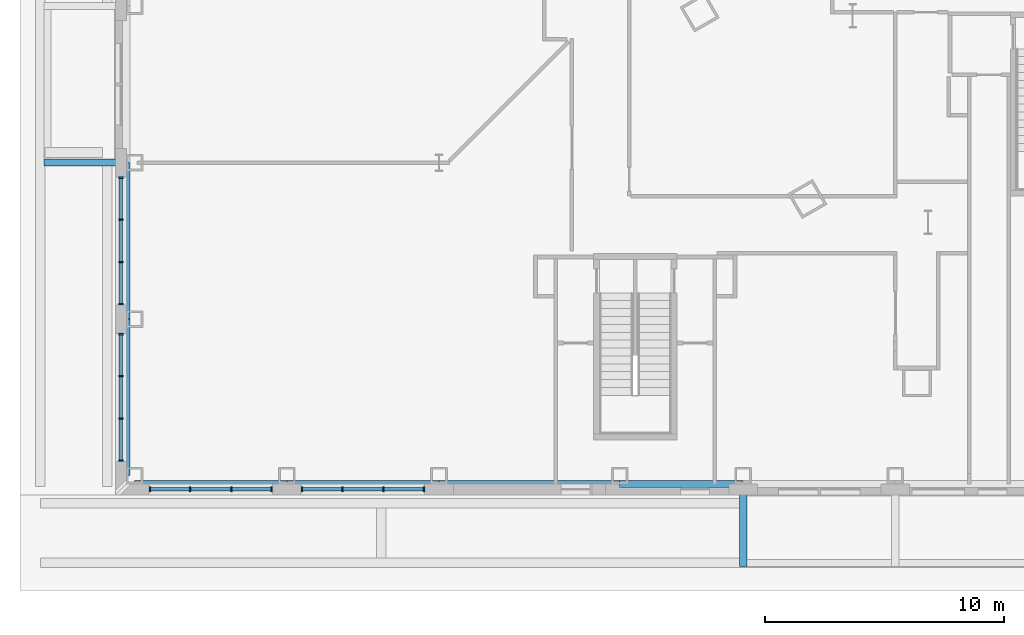
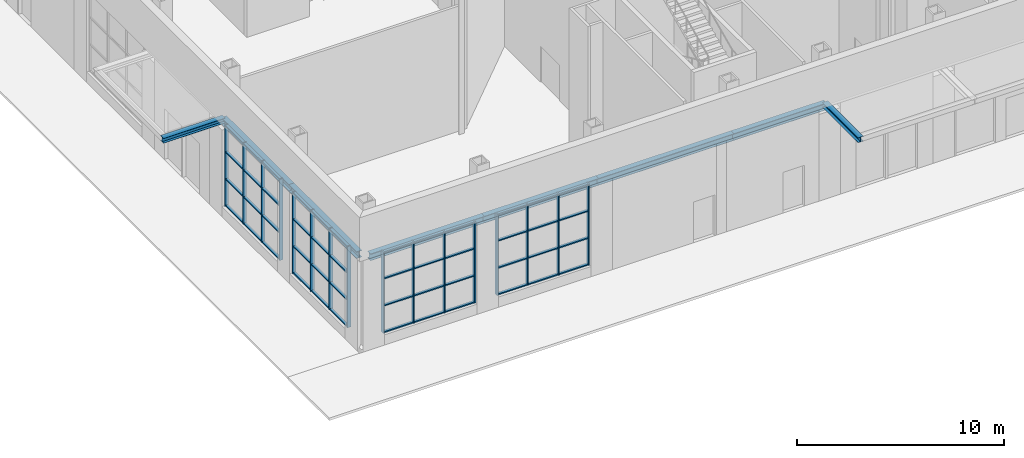
# One storey, part 5 of 34: 64 members, 8 beams, 4 elements without a shape of their own.
"""IFC4 building model written with IfcOpenShell, lengths in metres."""

import ifcopenshell
import ifcopenshell.guid

model = None  # the IFC model being written
_history = None  # IfcOwnerHistory: only IFC2X3 demands one
_inside = {}  # id of a spatial element -> (the spatial element, [elements in it])
_under = {}  # id of a project, library or spatial element -> (it, [spatial elements below it])
_declared = {}  # id of a project -> (the project, [libraries it declares])
_typed = {}  # id of a type object -> (the type object, [elements of that type])
_made_of = {}  # id of a material, layer set ... -> (it, [elements and type objects made of it])


def new_model(schema):
    """Start an empty IFC model of exactly this schema.

    Asked for "IFC4X3", IfcOpenShell would pick the latest addendum, in which some entities
    have other attributes; the version numbers below select the first issue.
    IFC2X3 requires an IfcOwnerHistory on every rooted entity: one is made here for all.
    """
    global model, _history
    if schema == "IFC4X3":
        model = ifcopenshell.file(schema_version=(4, 3, 0, 0))
    else:
        model = ifcopenshell.file(schema=schema)
    _inside.clear()
    _under.clear()
    _declared.clear()
    _typed.clear()
    _made_of.clear()
    _history = None
    if model.schema == "IFC2X3":
        org = make("IfcOrganization", Name="unknown")
        user = make(
            "IfcPersonAndOrganization",
            ThePerson=make("IfcPerson", FamilyName="unknown"),
            TheOrganization=org,
        )
        app = make(
            "IfcApplication",
            ApplicationDeveloper=org,
            Version="unknown",
            ApplicationFullName="unknown",
            ApplicationIdentifier="unknown",
        )
        _history = make(
            "IfcOwnerHistory",
            OwningUser=user,
            OwningApplication=app,
            ChangeAction="ADDED",
            CreationDate=0,
        )
    return model


def make(cls, **values):
    """One entity of the class cls with the attributes given. An attribute that is None is left unset."""
    return model.create_entity(
        cls, **{name: value for name, value in values.items() if value is not None}
    )


def rooted(cls, **values):
    """An entity with a GlobalId (a new one), such as an element, a storey or a relation."""
    return make(cls, GlobalId=ifcopenshell.guid.new(), OwnerHistory=_history, **values)


def si_unit(unit_type, name, prefix=None):
    """IfcSIUnit, for example si_unit("LENGTHUNIT", "METRE", prefix="MILLI")."""
    return make("IfcSIUnit", UnitType=unit_type, Prefix=prefix, Name=name)


def assignment(units):
    """IfcUnitAssignment: the units of a project."""
    return None if units is None else make("IfcUnitAssignment", Units=units)


def point(xyz):
    """IfcCartesianPoint."""
    return None if xyz is None else make("IfcCartesianPoint", Coordinates=xyz)


def direction(xyz):
    """IfcDirection."""
    return None if xyz is None else make("IfcDirection", DirectionRatios=xyz)


def frame(location, z_axis=None, x_axis=None):
    """IfcAxis2Placement3D, a coordinate frame: its origin and axes. An axis left out is left unset."""
    return make(
        "IfcAxis2Placement3D",
        Location=point(location),
        Axis=direction(z_axis),
        RefDirection=direction(x_axis),
    )


def frame_2d(location, x_axis=None):
    """IfcAxis2Placement2D, a coordinate frame in the plane: its origin and x axis."""
    return make(
        "IfcAxis2Placement2D", Location=point(location), RefDirection=direction(x_axis)
    )


def origin():
    """The frame at (0, 0, 0) with its axes left unset."""
    return frame((0.0, 0.0, 0.0))


def origin_2d():
    """The frame at (0, 0) in the plane with its x axis left unset."""
    return frame_2d((0.0, 0.0))


def place(relative_to, where):
    """IfcLocalPlacement: puts the frame where relative to a parent placement (None: the world)."""
    return make(
        "IfcLocalPlacement", PlacementRelTo=relative_to, RelativePlacement=where
    )


def context(
    kind, dimensions, precision=None, world=None, true_north=None, identifier=None
):
    """IfcGeometricRepresentationContext, for example the 3D "Model" context."""
    return make(
        "IfcGeometricRepresentationContext",
        ContextIdentifier=identifier,
        ContextType=kind,
        CoordinateSpaceDimension=dimensions,
        Precision=precision,
        WorldCoordinateSystem=world,
        TrueNorth=true_north,
    )


def subcontext(parent, identifier, kind, view, scale=None):
    """IfcGeometricRepresentationSubContext, for example "Body" below "Model"."""
    return make(
        "IfcGeometricRepresentationSubContext",
        ContextIdentifier=identifier,
        ContextType=kind,
        ParentContext=parent,
        TargetScale=scale,
        TargetView=view,
    )


def project(units=None, contexts=None):
    """IfcProject with its units and contexts."""
    return rooted(
        "IfcProject",
        Name="project",
        RepresentationContexts=contexts,
        UnitsInContext=assignment(units),
    )


def spatial(cls, under=None, at=None, **own):
    """A site, building, storey or space (cls), placed at a placement, below another one or the project."""
    s = rooted(cls, ObjectPlacement=at, **own)
    if under is not None:
        _under.setdefault(under.id(), (under, []))[1].append(s)
    return s


def profile(cls, at=None, kind="AREA", **sizes):
    """A parametric profile (cls). Its sizes go by their IFC names, for example OverallWidth=200.0."""
    return make(cls, ProfileType=kind, Position=at, **sizes)


def rectangle(**sizes):
    """IfcRectangleProfileDef."""
    return profile("IfcRectangleProfileDef", **sizes)


def i_section(**sizes):
    """IfcIShapeProfileDef."""
    return profile("IfcIShapeProfileDef", **sizes)


def extrude(swept, where, along, depth):
    """IfcExtrudedAreaSolid: the profile swept, set in the frame where, extruded along a direction by depth."""
    return make(
        "IfcExtrudedAreaSolid",
        SweptArea=swept,
        Position=where,
        ExtrudedDirection=direction(along),
        Depth=depth,
    )


def shape(context_of_items, identifier, shape_type, items):
    """IfcShapeRepresentation: the items that make up one representation, for example the "Body"."""
    return make(
        "IfcShapeRepresentation",
        ContextOfItems=context_of_items,
        RepresentationIdentifier=identifier,
        RepresentationType=shape_type,
        Items=items,
    )


def material(Name=None, Category=None):
    """IfcMaterial."""
    return make("IfcMaterial", Name=Name, Category=Category)


def layer(
    of_material, thickness, ventilated=None, Name=None, Category=None, Priority=None
):
    """IfcMaterialLayer: one layer of a wall or slab, of a material (None: an air gap)."""
    return make(
        "IfcMaterialLayer",
        Material=of_material,
        LayerThickness=thickness,
        IsVentilated=ventilated,
        Name=Name,
        Category=Category,
        Priority=Priority,
    )


def layer_set(layers, Name=None):
    """IfcMaterialLayerSet."""
    return make("IfcMaterialLayerSet", MaterialLayers=layers, LayerSetName=Name)


def material_profile(
    of_material, cross_section, Name=None, Category=None, Priority=None
):
    """IfcMaterialProfile: a cross section and its material."""
    return make(
        "IfcMaterialProfile",
        Name=Name,
        Material=of_material,
        Profile=cross_section,
        Priority=Priority,
        Category=Category,
    )


def profile_set(profiles, Name=None, composite=None):
    """IfcMaterialProfileSet."""
    return make(
        "IfcMaterialProfileSet",
        Name=Name,
        MaterialProfiles=profiles,
        CompositeProfile=composite,
    )


def made_of(thing, what):
    """Note that an element or type object is made of a material, layer set ...; save() writes the relation."""
    if what is not None:
        _made_of.setdefault(what.id(), (what, []))[1].append(thing)
    return thing


def type_object(cls, material=None, **own):
    """A type object (cls), such as IfcWallType, which elements share."""
    return made_of(rooted(cls, **own), material)


def element(
    cls,
    number,
    at=None,
    inside=None,
    cuts=None,
    type_object=None,
    material=None,
    context=None,
    identifier="Body",
    shape_type=None,
    held_by="IfcProductDefinitionShape",
    body=None,
    shapes=None,
    **own,
):
    """One element of the class cls, such as IfcWall. Its Tag is "e" and its number.

    at: its placement. inside: the storey or other place that contains it. cuts: it is an
    opening in that element (IfcRelVoidsElement). A single representation is given by context,
    identifier, shape_type and body (its items); several are given by shapes. held_by: the class
    of the entity that holds the representations. save() writes the other relations.
    """
    e = rooted(cls, Tag="e%d" % number, ObjectPlacement=at, **own)
    if body is not None:
        shapes = [shape(context, identifier, shape_type, body)]
    if shapes is not None:
        e.Representation = make(held_by, Representations=shapes)
    if inside is not None:
        _inside.setdefault(inside.id(), (inside, []))[1].append(e)
    if cuts is not None:
        rooted(
            "IfcRelVoidsElement", RelatingBuildingElement=cuts, RelatedOpeningElement=e
        )
    if type_object is not None:
        _typed.setdefault(type_object.id(), (type_object, []))[1].append(e)
    return made_of(e, material)


def aggregate(whole, parts):
    """IfcRelAggregates: a whole, such as a stair, and the parts it consists of."""
    return rooted("IfcRelAggregates", RelatingObject=whole, RelatedObjects=parts)


def save(model, path):
    """Write the relations noted so far, then the file.

    IfcRelAggregates (storeys below a building ...), IfcRelContainedInSpatialStructure (elements
    in a storey), IfcRelDefinesByType, IfcRelAssociatesMaterial and IfcRelDeclares: one each for
    every whole, place, type object, material and project.
    """
    for whole, parts in _under.values():
        aggregate(whole, parts)
    for where, things in _inside.values():
        rooted(
            "IfcRelContainedInSpatialStructure",
            RelatedElements=things,
            RelatingStructure=where,
        )
    for kind, things in _typed.values():
        rooted("IfcRelDefinesByType", RelatedObjects=things, RelatingType=kind)
    for what, things in _made_of.values():
        rooted("IfcRelAssociatesMaterial", RelatedObjects=things, RelatingMaterial=what)
    for by, libraries in _declared.values():
        rooted("IfcRelDeclares", RelatingContext=by, RelatedDefinitions=libraries)
    model.write(path)


model = new_model("IFC4")

# Units and contexts
model_context = context("Model", 3, precision=1e-05, world=origin(), true_north=direction((0.0, 1.0)))
body_context = subcontext(model_context, "Body", "Model", "MODEL_VIEW")
ifc_project = project(units=[si_unit("LENGTHUNIT", "METRE"), si_unit("AREAUNIT", "SQUARE_METRE"), si_unit("VOLUMEUNIT", "CUBIC_METRE"), si_unit("PLANEANGLEUNIT", "RADIAN"), si_unit("MASSUNIT", "GRAM", prefix="KILO")], contexts=[model_context])

# Site, building, storey
site_placement = place(None, origin())
site = spatial("IfcSite", under=ifc_project, at=site_placement, CompositionType="ELEMENT")
building_placement = place(site_placement, origin())
building = spatial("IfcBuilding", under=site, at=building_placement, Name="Njiva Tower", CompositionType="ELEMENT")
storey_placement = place(building_placement, origin())
storey = spatial("IfcBuildingStorey", under=building, at=storey_placement, Name="L00", CompositionType="ELEMENT", Elevation=0.0)

# Beams
ifc_material_1 = material(Name="Steel S355 J2", Category="steel")
ifc_material_profile_1 = material_profile(ifc_material_1, i_section(OverallWidth=0.3, OverallDepth=0.29, WebThickness=0.0085, FlangeThickness=0.014, at=origin_2d()), Name="HEA300")
ifc_profile_set_1 = profile_set([ifc_material_profile_1], Name="Steel S355 J2")
beam_type_1 = type_object("IfcBeamType", Name="B90 Canopy cantilever beam HEA 300", PredefinedType="BEAM", material=ifc_profile_set_1)
for number, where, z_axis, x_axis, name in (
    (1, (-38.55, -19.9, 5.255), (-1.0, 0.0, 0.0), (0.0, -1.0, 0.0), "Canopy beam"),
    (2, (-12.7333, -33.35, 5.255), (0.0, -1.0, 0.0), (1.0, 0.0, 0.0), "Canopy beam"),
):
    element("IfcBeam", number, at=place(storey_placement, frame(where, z_axis=z_axis, x_axis=x_axis)), inside=storey, type_object=beam_type_1, Name=name, PredefinedType="BEAM", context=body_context, shape_type="SweptSolid", body=[
        extrude(i_section(OverallWidth=0.3, OverallDepth=0.29, WebThickness=0.0085, FlangeThickness=0.014, at=origin_2d()), origin(), (0.0, 0.0, 1.0), 3.45),
    ])
ifc_material_profile_2 = material_profile(ifc_material_1, i_section(OverallWidth=0.3, OverallDepth=0.4, WebThickness=0.0135, FlangeThickness=0.024, at=origin_2d()), Name="HEB400")
ifc_profile_set_2 = profile_set([ifc_material_profile_2], Name="Steel S355 J2")
beam_type_2 = type_object("IfcBeamType", Name="B92 Podium lintel beam HEB 400", PredefinedType="BEAM", material=ifc_profile_set_2)
for number, where, z_axis, x_axis, name in (
    (3, (-38.55, -19.9, 5.2), (0.0, -1.0, 0.0), (1.0, 0.0, 0.0), "Podium lintel beam"),
    (4, (-38.55, -26.45, 5.2), (0.0, -1.0, 0.0), (1.0, 0.0, 0.0), "Podium lintel beam"),
):
    element("IfcBeam", number, at=place(storey_placement, frame(where, z_axis=z_axis, x_axis=x_axis)), inside=storey, type_object=beam_type_2, Name=name, PredefinedType="BEAM", context=body_context, shape_type="SweptSolid", body=[
        extrude(i_section(OverallWidth=0.3, OverallDepth=0.4, WebThickness=0.0135, FlangeThickness=0.024, at=origin_2d()), origin(), (0.0, 0.0, 1.0), 6.55),
    ])
beam_1_placement = place(storey_placement, frame((-38.2, -33.35, 5.2), z_axis=(1.0, 0.0, 0.0), x_axis=(0.0, 1.0, 0.0)))
element("IfcBeam", 5, at=beam_1_placement, inside=storey, type_object=beam_type_2, Name="Podium lintel beam", PredefinedType="BEAM", context=body_context, shape_type="SweptSolid", body=[
    extrude(i_section(OverallWidth=0.3, OverallDepth=0.4, WebThickness=0.0135, FlangeThickness=0.024, at=origin_2d()), origin(), (0.0, 0.0, 1.0), 6.367),
])
beam_2_placement = place(storey_placement, frame((-31.833, -33.35, 5.2), z_axis=(1.0, 0.0, 0.0), x_axis=(0.0, 1.0, 0.0)))
element("IfcBeam", 6, at=beam_2_placement, inside=storey, type_object=beam_type_2, Name="Podium lintel beam", PredefinedType="BEAM", context=body_context, shape_type="SweptSolid", body=[
    extrude(i_section(OverallWidth=0.3, OverallDepth=0.4, WebThickness=0.0135, FlangeThickness=0.024, at=origin_2d()), origin(), (0.0, 0.0, 1.0), 6.366),
])
beam_3_placement = place(storey_placement, frame((-25.467, -33.35, 5.2), z_axis=(1.0, 0.0, 0.0), x_axis=(0.0, 1.0, 0.0)))
element("IfcBeam", 7, at=beam_3_placement, inside=storey, type_object=beam_type_2, Name="Podium lintel beam", PredefinedType="BEAM", context=body_context, shape_type="SweptSolid", body=[
    extrude(i_section(OverallWidth=0.3, OverallDepth=0.4, WebThickness=0.0135, FlangeThickness=0.024, at=origin_2d()), origin(), (0.0, 0.0, 1.0), 7.567),
])
beam_4_placement = place(storey_placement, frame((-17.9, -33.35, 5.2), z_axis=(1.0, 0.0, 0.0), x_axis=(0.0, 1.0, 0.0)))
element("IfcBeam", 8, at=beam_4_placement, inside=storey, type_object=beam_type_2, Name="Podium lintel beam", PredefinedType="BEAM", context=body_context, shape_type="SweptSolid", body=[
    extrude(i_section(OverallWidth=0.3, OverallDepth=0.4, WebThickness=0.0135, FlangeThickness=0.024, at=origin_2d()), origin(), (0.0, 0.0, 1.0), 5.167),
])

# Curtain wall, members
ifc_material_2 = material(Name="Glazed curtain wall", Category="glass")
ifc_layer = layer(ifc_material_2, 0.2)
ifc_layer_set = layer_set([ifc_layer], Name="Glazed curtain wall")
curtain_wall_type = type_object("IfcCurtainWallType", Name="CW1 Shopfront glazing", PredefinedType="NOTDEFINED", material=ifc_layer_set)
curtain_wall_1_placement = place(storey_placement, origin())
curtain_wall_1 = element("IfcCurtainWall", 9, at=curtain_wall_1_placement, inside=storey, type_object=curtain_wall_type, Name="Shopfront W7", PredefinedType="NOTDEFINED")
ifc_material_3 = material(Name="Aluminium mullion", Category="aluminium")
ifc_material_profile_3 = material_profile(ifc_material_3, rectangle(XDim=0.2, YDim=0.065, at=origin_2d()), Name="RECT 200x65")
ifc_profile_set_3 = profile_set([ifc_material_profile_3], Name="Aluminium mullion")
member_type_1 = type_object("IfcMemberType", Name="CW1-M Shopfront mullion 200x65", PredefinedType="MULLION", material=ifc_profile_set_3)
member_1_placement = place(storey_placement, frame((-38.775, -20.5325, 0.6), z_axis=(0.0, 0.0, 1.0), x_axis=(1.0, 0.0, 0.0)))
member_1 = element("IfcMember", 10, at=member_1_placement, type_object=member_type_1, Name="CW1-W7 mullion 1", PredefinedType="MULLION", context=body_context, shape_type="SweptSolid", body=[
    extrude(rectangle(XDim=0.2, YDim=0.065, at=origin_2d()), origin(), (0.0, 0.0, 1.0), 4.8),
])
member_2_placement = place(storey_placement, frame((-38.775, -22.2833, 0.6), z_axis=(0.0, 0.0, 1.0), x_axis=(1.0, 0.0, 0.0)))
member_2 = element("IfcMember", 11, at=member_2_placement, type_object=member_type_1, Name="CW1-W7 mullion 2", PredefinedType="MULLION", context=body_context, shape_type="SweptSolid", body=[
    extrude(rectangle(XDim=0.2, YDim=0.065, at=origin_2d()), origin(), (0.0, 0.0, 1.0), 4.8),
])
member_3_placement = place(storey_placement, frame((-38.775, -24.0667, 0.6), z_axis=(0.0, 0.0, 1.0), x_axis=(1.0, 0.0, 0.0)))
member_3 = element("IfcMember", 12, at=member_3_placement, type_object=member_type_1, Name="CW1-W7 mullion 3", PredefinedType="MULLION", context=body_context, shape_type="SweptSolid", body=[
    extrude(rectangle(XDim=0.2, YDim=0.065, at=origin_2d()), origin(), (0.0, 0.0, 1.0), 4.8),
])
member_4_placement = place(storey_placement, frame((-38.775, -25.8175, 0.6), z_axis=(0.0, 0.0, 1.0), x_axis=(1.0, 0.0, 0.0)))
member_4 = element("IfcMember", 13, at=member_4_placement, type_object=member_type_1, Name="CW1-W7 mullion 4", PredefinedType="MULLION", context=body_context, shape_type="SweptSolid", body=[
    extrude(rectangle(XDim=0.2, YDim=0.065, at=origin_2d()), origin(), (0.0, 0.0, 1.0), 4.8),
])

curtain_wall_2_placement = place(storey_placement, origin())
curtain_wall_2 = element("IfcCurtainWall", 14, at=curtain_wall_2_placement, inside=storey, type_object=curtain_wall_type, Name="Shopfront W8", PredefinedType="NOTDEFINED")
member_5_placement = place(storey_placement, frame((-38.775, -27.0825, 0.6), z_axis=(0.0, 0.0, 1.0), x_axis=(1.0, 0.0, 0.0)))
member_5 = element("IfcMember", 15, at=member_5_placement, type_object=member_type_1, Name="CW1-W8 mullion 1", PredefinedType="MULLION", context=body_context, shape_type="SweptSolid", body=[
    extrude(rectangle(XDim=0.2, YDim=0.065, at=origin_2d()), origin(), (0.0, 0.0, 1.0), 4.8),
])
member_6_placement = place(storey_placement, frame((-38.775, -28.8333, 0.6), z_axis=(0.0, 0.0, 1.0), x_axis=(1.0, 0.0, 0.0)))
member_6 = element("IfcMember", 16, at=member_6_placement, type_object=member_type_1, Name="CW1-W8 mullion 2", PredefinedType="MULLION", context=body_context, shape_type="SweptSolid", body=[
    extrude(rectangle(XDim=0.2, YDim=0.065, at=origin_2d()), origin(), (0.0, 0.0, 1.0), 4.8),
])
member_7_placement = place(storey_placement, frame((-38.775, -30.6167, 0.6), z_axis=(0.0, 0.0, 1.0), x_axis=(1.0, 0.0, 0.0)))
member_7 = element("IfcMember", 17, at=member_7_placement, type_object=member_type_1, Name="CW1-W8 mullion 3", PredefinedType="MULLION", context=body_context, shape_type="SweptSolid", body=[
    extrude(rectangle(XDim=0.2, YDim=0.065, at=origin_2d()), origin(), (0.0, 0.0, 1.0), 4.8),
])
member_8_placement = place(storey_placement, frame((-38.775, -32.3675, 0.6), z_axis=(0.0, 0.0, 1.0), x_axis=(1.0, 0.0, 0.0)))
member_8 = element("IfcMember", 18, at=member_8_placement, type_object=member_type_1, Name="CW1-W8 mullion 4", PredefinedType="MULLION", context=body_context, shape_type="SweptSolid", body=[
    extrude(rectangle(XDim=0.2, YDim=0.065, at=origin_2d()), origin(), (0.0, 0.0, 1.0), 4.8),
])

curtain_wall_3_placement = place(storey_placement, origin())
curtain_wall_3 = element("IfcCurtainWall", 19, at=curtain_wall_3_placement, inside=storey, type_object=curtain_wall_type, Name="Shopfront S1", PredefinedType="NOTDEFINED")
member_9_placement = place(storey_placement, frame((-37.5675, -33.575, 0.6), z_axis=(0.0, 0.0, 1.0), x_axis=(0.0, 1.0, 0.0)))
member_9 = element("IfcMember", 20, at=member_9_placement, type_object=member_type_1, Name="CW1-S1 mullion 1", PredefinedType="MULLION", context=body_context, shape_type="SweptSolid", body=[
    extrude(rectangle(XDim=0.2, YDim=0.065, at=origin_2d()), origin(), (0.0, 0.0, 1.0), 4.8),
])
member_10_placement = place(storey_placement, frame((-35.8778, -33.575, 0.6), z_axis=(0.0, 0.0, 1.0), x_axis=(0.0, 1.0, 0.0)))
member_10 = element("IfcMember", 21, at=member_10_placement, type_object=member_type_1, Name="CW1-S1 mullion 2", PredefinedType="MULLION", context=body_context, shape_type="SweptSolid", body=[
    extrude(rectangle(XDim=0.2, YDim=0.065, at=origin_2d()), origin(), (0.0, 0.0, 1.0), 4.8),
])
member_11_placement = place(storey_placement, frame((-34.1555, -33.575, 0.6), z_axis=(0.0, 0.0, 1.0), x_axis=(0.0, 1.0, 0.0)))
member_11 = element("IfcMember", 22, at=member_11_placement, type_object=member_type_1, Name="CW1-S1 mullion 3", PredefinedType="MULLION", context=body_context, shape_type="SweptSolid", body=[
    extrude(rectangle(XDim=0.2, YDim=0.065, at=origin_2d()), origin(), (0.0, 0.0, 1.0), 4.8),
])
member_12_placement = place(storey_placement, frame((-32.4658, -33.575, 0.6), z_axis=(0.0, 0.0, 1.0), x_axis=(0.0, 1.0, 0.0)))
member_12 = element("IfcMember", 23, at=member_12_placement, type_object=member_type_1, Name="CW1-S1 mullion 4", PredefinedType="MULLION", context=body_context, shape_type="SweptSolid", body=[
    extrude(rectangle(XDim=0.2, YDim=0.065, at=origin_2d()), origin(), (0.0, 0.0, 1.0), 4.8),
])

curtain_wall_4_placement = place(storey_placement, origin())
curtain_wall_4 = element("IfcCurtainWall", 24, at=curtain_wall_4_placement, inside=storey, type_object=curtain_wall_type, Name="Shopfront S2", PredefinedType="NOTDEFINED")
member_13_placement = place(storey_placement, frame((-31.2008, -33.575, 0.6), z_axis=(0.0, 0.0, 1.0), x_axis=(0.0, 1.0, 0.0)))
member_13 = element("IfcMember", 25, at=member_13_placement, type_object=member_type_1, Name="CW1-S2 mullion 1", PredefinedType="MULLION", context=body_context, shape_type="SweptSolid", body=[
    extrude(rectangle(XDim=0.2, YDim=0.065, at=origin_2d()), origin(), (0.0, 0.0, 1.0), 4.8),
])
member_14_placement = place(storey_placement, frame((-29.5111, -33.575, 0.6), z_axis=(0.0, 0.0, 1.0), x_axis=(0.0, 1.0, 0.0)))
member_14 = element("IfcMember", 26, at=member_14_placement, type_object=member_type_1, Name="CW1-S2 mullion 2", PredefinedType="MULLION", context=body_context, shape_type="SweptSolid", body=[
    extrude(rectangle(XDim=0.2, YDim=0.065, at=origin_2d()), origin(), (0.0, 0.0, 1.0), 4.8),
])
member_15_placement = place(storey_placement, frame((-27.7889, -33.575, 0.6), z_axis=(0.0, 0.0, 1.0), x_axis=(0.0, 1.0, 0.0)))
member_15 = element("IfcMember", 27, at=member_15_placement, type_object=member_type_1, Name="CW1-S2 mullion 3", PredefinedType="MULLION", context=body_context, shape_type="SweptSolid", body=[
    extrude(rectangle(XDim=0.2, YDim=0.065, at=origin_2d()), origin(), (0.0, 0.0, 1.0), 4.8),
])
member_16_placement = place(storey_placement, frame((-26.0992, -33.575, 0.6), z_axis=(0.0, 0.0, 1.0), x_axis=(0.0, 1.0, 0.0)))
member_16 = element("IfcMember", 28, at=member_16_placement, type_object=member_type_1, Name="CW1-S2 mullion 4", PredefinedType="MULLION", context=body_context, shape_type="SweptSolid", body=[
    extrude(rectangle(XDim=0.2, YDim=0.065, at=origin_2d()), origin(), (0.0, 0.0, 1.0), 4.8),
])

# Member
ifc_material_4 = material(Name="Aluminium transom", Category="aluminium")
ifc_material_profile_4 = material_profile(ifc_material_4, rectangle(XDim=0.15, YDim=0.065, at=origin_2d()), Name="RECT 150x65")
ifc_profile_set_4 = profile_set([ifc_material_profile_4], Name="Aluminium transom")
member_type_2 = type_object("IfcMemberType", Name="CW1-T Shopfront transom 150x65", PredefinedType="USERDEFINED", material=ifc_profile_set_4)
member_17_placement = place(storey_placement, frame((-38.775, -20.565, 0.6325), z_axis=(0.0, -1.0, 0.0), x_axis=(1.0, 0.0, 0.0)))
member_17 = element("IfcMember", 29, at=member_17_placement, type_object=member_type_2, Name="CW1-W7 transom 1.1", ObjectType="TRANSOM", PredefinedType="USERDEFINED", context=body_context, shape_type="SweptSolid", body=[
    extrude(rectangle(XDim=0.15, YDim=0.065, at=origin_2d()), origin(), (0.0, 0.0, 1.0), 1.6858),
])

member_18_placement = place(storey_placement, frame((-38.775, -20.565, 2.2), z_axis=(0.0, -1.0, 0.0), x_axis=(1.0, 0.0, 0.0)))
member_18 = element("IfcMember", 30, at=member_18_placement, type_object=member_type_2, Name="CW1-W7 transom 1.2", ObjectType="TRANSOM", PredefinedType="USERDEFINED", context=body_context, shape_type="SweptSolid", body=[
    extrude(rectangle(XDim=0.15, YDim=0.065, at=origin_2d()), origin(), (0.0, 0.0, 1.0), 1.6858),
])

member_19_placement = place(storey_placement, frame((-38.775, -20.565, 3.8), z_axis=(0.0, -1.0, 0.0), x_axis=(1.0, 0.0, 0.0)))
member_19 = element("IfcMember", 31, at=member_19_placement, type_object=member_type_2, Name="CW1-W7 transom 1.3", ObjectType="TRANSOM", PredefinedType="USERDEFINED", context=body_context, shape_type="SweptSolid", body=[
    extrude(rectangle(XDim=0.15, YDim=0.065, at=origin_2d()), origin(), (0.0, 0.0, 1.0), 1.6858),
])

member_20_placement = place(storey_placement, frame((-38.775, -20.565, 5.3675), z_axis=(0.0, -1.0, 0.0), x_axis=(1.0, 0.0, 0.0)))
member_20 = element("IfcMember", 32, at=member_20_placement, type_object=member_type_2, Name="CW1-W7 transom 1.4", ObjectType="TRANSOM", PredefinedType="USERDEFINED", context=body_context, shape_type="SweptSolid", body=[
    extrude(rectangle(XDim=0.15, YDim=0.065, at=origin_2d()), origin(), (0.0, 0.0, 1.0), 1.6858),
])

member_21_placement = place(storey_placement, frame((-38.775, -22.3158, 0.6325), z_axis=(0.0, -1.0, 0.0), x_axis=(1.0, 0.0, 0.0)))
member_21 = element("IfcMember", 33, at=member_21_placement, type_object=member_type_2, Name="CW1-W7 transom 2.1", ObjectType="TRANSOM", PredefinedType="USERDEFINED", context=body_context, shape_type="SweptSolid", body=[
    extrude(rectangle(XDim=0.15, YDim=0.065, at=origin_2d()), origin(), (0.0, 0.0, 1.0), 1.7184),
])

member_22_placement = place(storey_placement, frame((-38.775, -22.3158, 2.2), z_axis=(0.0, -1.0, 0.0), x_axis=(1.0, 0.0, 0.0)))
member_22 = element("IfcMember", 34, at=member_22_placement, type_object=member_type_2, Name="CW1-W7 transom 2.2", ObjectType="TRANSOM", PredefinedType="USERDEFINED", context=body_context, shape_type="SweptSolid", body=[
    extrude(rectangle(XDim=0.15, YDim=0.065, at=origin_2d()), origin(), (0.0, 0.0, 1.0), 1.7184),
])

member_23_placement = place(storey_placement, frame((-38.775, -22.3158, 3.8), z_axis=(0.0, -1.0, 0.0), x_axis=(1.0, 0.0, 0.0)))
member_23 = element("IfcMember", 35, at=member_23_placement, type_object=member_type_2, Name="CW1-W7 transom 2.3", ObjectType="TRANSOM", PredefinedType="USERDEFINED", context=body_context, shape_type="SweptSolid", body=[
    extrude(rectangle(XDim=0.15, YDim=0.065, at=origin_2d()), origin(), (0.0, 0.0, 1.0), 1.7184),
])

member_24_placement = place(storey_placement, frame((-38.775, -22.3158, 5.3675), z_axis=(0.0, -1.0, 0.0), x_axis=(1.0, 0.0, 0.0)))
member_24 = element("IfcMember", 36, at=member_24_placement, type_object=member_type_2, Name="CW1-W7 transom 2.4", ObjectType="TRANSOM", PredefinedType="USERDEFINED", context=body_context, shape_type="SweptSolid", body=[
    extrude(rectangle(XDim=0.15, YDim=0.065, at=origin_2d()), origin(), (0.0, 0.0, 1.0), 1.7184),
])

member_25_placement = place(storey_placement, frame((-38.775, -24.0992, 0.6325), z_axis=(0.0, -1.0, 0.0), x_axis=(1.0, 0.0, 0.0)))
member_25 = element("IfcMember", 37, at=member_25_placement, type_object=member_type_2, Name="CW1-W7 transom 3.1", ObjectType="TRANSOM", PredefinedType="USERDEFINED", context=body_context, shape_type="SweptSolid", body=[
    extrude(rectangle(XDim=0.15, YDim=0.065, at=origin_2d()), origin(), (0.0, 0.0, 1.0), 1.6858),
])

member_26_placement = place(storey_placement, frame((-38.775, -24.0992, 2.2), z_axis=(0.0, -1.0, 0.0), x_axis=(1.0, 0.0, 0.0)))
member_26 = element("IfcMember", 38, at=member_26_placement, type_object=member_type_2, Name="CW1-W7 transom 3.2", ObjectType="TRANSOM", PredefinedType="USERDEFINED", context=body_context, shape_type="SweptSolid", body=[
    extrude(rectangle(XDim=0.15, YDim=0.065, at=origin_2d()), origin(), (0.0, 0.0, 1.0), 1.6858),
])

member_27_placement = place(storey_placement, frame((-38.775, -24.0992, 3.8), z_axis=(0.0, -1.0, 0.0), x_axis=(1.0, 0.0, 0.0)))
member_27 = element("IfcMember", 39, at=member_27_placement, type_object=member_type_2, Name="CW1-W7 transom 3.3", ObjectType="TRANSOM", PredefinedType="USERDEFINED", context=body_context, shape_type="SweptSolid", body=[
    extrude(rectangle(XDim=0.15, YDim=0.065, at=origin_2d()), origin(), (0.0, 0.0, 1.0), 1.6858),
])

member_28_placement = place(storey_placement, frame((-38.775, -24.0992, 5.3675), z_axis=(0.0, -1.0, 0.0), x_axis=(1.0, 0.0, 0.0)))
member_28 = element("IfcMember", 40, at=member_28_placement, type_object=member_type_2, Name="CW1-W7 transom 3.4", ObjectType="TRANSOM", PredefinedType="USERDEFINED", context=body_context, shape_type="SweptSolid", body=[
    extrude(rectangle(XDim=0.15, YDim=0.065, at=origin_2d()), origin(), (0.0, 0.0, 1.0), 1.6858),
])

aggregate(curtain_wall_1, [member_1, member_2, member_3, member_4, member_17, member_18, member_19, member_20, member_21, member_22, member_23, member_24, member_25, member_26, member_27, member_28])

member_29_placement = place(storey_placement, frame((-38.775, -27.115, 0.6325), z_axis=(0.0, -1.0, 0.0), x_axis=(1.0, 0.0, 0.0)))
member_29 = element("IfcMember", 41, at=member_29_placement, type_object=member_type_2, Name="CW1-W8 transom 1.1", ObjectType="TRANSOM", PredefinedType="USERDEFINED", context=body_context, shape_type="SweptSolid", body=[
    extrude(rectangle(XDim=0.15, YDim=0.065, at=origin_2d()), origin(), (0.0, 0.0, 1.0), 1.6858),
])

member_30_placement = place(storey_placement, frame((-38.775, -27.115, 2.2), z_axis=(0.0, -1.0, 0.0), x_axis=(1.0, 0.0, 0.0)))
member_30 = element("IfcMember", 42, at=member_30_placement, type_object=member_type_2, Name="CW1-W8 transom 1.2", ObjectType="TRANSOM", PredefinedType="USERDEFINED", context=body_context, shape_type="SweptSolid", body=[
    extrude(rectangle(XDim=0.15, YDim=0.065, at=origin_2d()), origin(), (0.0, 0.0, 1.0), 1.6858),
])

member_31_placement = place(storey_placement, frame((-38.775, -27.115, 3.8), z_axis=(0.0, -1.0, 0.0), x_axis=(1.0, 0.0, 0.0)))
member_31 = element("IfcMember", 43, at=member_31_placement, type_object=member_type_2, Name="CW1-W8 transom 1.3", ObjectType="TRANSOM", PredefinedType="USERDEFINED", context=body_context, shape_type="SweptSolid", body=[
    extrude(rectangle(XDim=0.15, YDim=0.065, at=origin_2d()), origin(), (0.0, 0.0, 1.0), 1.6858),
])

member_32_placement = place(storey_placement, frame((-38.775, -27.115, 5.3675), z_axis=(0.0, -1.0, 0.0), x_axis=(1.0, 0.0, 0.0)))
member_32 = element("IfcMember", 44, at=member_32_placement, type_object=member_type_2, Name="CW1-W8 transom 1.4", ObjectType="TRANSOM", PredefinedType="USERDEFINED", context=body_context, shape_type="SweptSolid", body=[
    extrude(rectangle(XDim=0.15, YDim=0.065, at=origin_2d()), origin(), (0.0, 0.0, 1.0), 1.6858),
])

member_33_placement = place(storey_placement, frame((-38.775, -28.8658, 0.6325), z_axis=(0.0, -1.0, 0.0), x_axis=(1.0, 0.0, 0.0)))
member_33 = element("IfcMember", 45, at=member_33_placement, type_object=member_type_2, Name="CW1-W8 transom 2.1", ObjectType="TRANSOM", PredefinedType="USERDEFINED", context=body_context, shape_type="SweptSolid", body=[
    extrude(rectangle(XDim=0.15, YDim=0.065, at=origin_2d()), origin(), (0.0, 0.0, 1.0), 1.7184),
])

member_34_placement = place(storey_placement, frame((-38.775, -28.8658, 2.2), z_axis=(0.0, -1.0, 0.0), x_axis=(1.0, 0.0, 0.0)))
member_34 = element("IfcMember", 46, at=member_34_placement, type_object=member_type_2, Name="CW1-W8 transom 2.2", ObjectType="TRANSOM", PredefinedType="USERDEFINED", context=body_context, shape_type="SweptSolid", body=[
    extrude(rectangle(XDim=0.15, YDim=0.065, at=origin_2d()), origin(), (0.0, 0.0, 1.0), 1.7184),
])

member_35_placement = place(storey_placement, frame((-38.775, -28.8658, 3.8), z_axis=(0.0, -1.0, 0.0), x_axis=(1.0, 0.0, 0.0)))
member_35 = element("IfcMember", 47, at=member_35_placement, type_object=member_type_2, Name="CW1-W8 transom 2.3", ObjectType="TRANSOM", PredefinedType="USERDEFINED", context=body_context, shape_type="SweptSolid", body=[
    extrude(rectangle(XDim=0.15, YDim=0.065, at=origin_2d()), origin(), (0.0, 0.0, 1.0), 1.7184),
])

member_36_placement = place(storey_placement, frame((-38.775, -28.8658, 5.3675), z_axis=(0.0, -1.0, 0.0), x_axis=(1.0, 0.0, 0.0)))
member_36 = element("IfcMember", 48, at=member_36_placement, type_object=member_type_2, Name="CW1-W8 transom 2.4", ObjectType="TRANSOM", PredefinedType="USERDEFINED", context=body_context, shape_type="SweptSolid", body=[
    extrude(rectangle(XDim=0.15, YDim=0.065, at=origin_2d()), origin(), (0.0, 0.0, 1.0), 1.7184),
])

member_37_placement = place(storey_placement, frame((-38.775, -30.6492, 0.6325), z_axis=(0.0, -1.0, 0.0), x_axis=(1.0, 0.0, 0.0)))
member_37 = element("IfcMember", 49, at=member_37_placement, type_object=member_type_2, Name="CW1-W8 transom 3.1", ObjectType="TRANSOM", PredefinedType="USERDEFINED", context=body_context, shape_type="SweptSolid", body=[
    extrude(rectangle(XDim=0.15, YDim=0.065, at=origin_2d()), origin(), (0.0, 0.0, 1.0), 1.6858),
])

member_38_placement = place(storey_placement, frame((-38.775, -30.6492, 2.2), z_axis=(0.0, -1.0, 0.0), x_axis=(1.0, 0.0, 0.0)))
member_38 = element("IfcMember", 50, at=member_38_placement, type_object=member_type_2, Name="CW1-W8 transom 3.2", ObjectType="TRANSOM", PredefinedType="USERDEFINED", context=body_context, shape_type="SweptSolid", body=[
    extrude(rectangle(XDim=0.15, YDim=0.065, at=origin_2d()), origin(), (0.0, 0.0, 1.0), 1.6858),
])

member_39_placement = place(storey_placement, frame((-38.775, -30.6492, 3.8), z_axis=(0.0, -1.0, 0.0), x_axis=(1.0, 0.0, 0.0)))
member_39 = element("IfcMember", 51, at=member_39_placement, type_object=member_type_2, Name="CW1-W8 transom 3.3", ObjectType="TRANSOM", PredefinedType="USERDEFINED", context=body_context, shape_type="SweptSolid", body=[
    extrude(rectangle(XDim=0.15, YDim=0.065, at=origin_2d()), origin(), (0.0, 0.0, 1.0), 1.6858),
])

member_40_placement = place(storey_placement, frame((-38.775, -30.6492, 5.3675), z_axis=(0.0, -1.0, 0.0), x_axis=(1.0, 0.0, 0.0)))
member_40 = element("IfcMember", 52, at=member_40_placement, type_object=member_type_2, Name="CW1-W8 transom 3.4", ObjectType="TRANSOM", PredefinedType="USERDEFINED", context=body_context, shape_type="SweptSolid", body=[
    extrude(rectangle(XDim=0.15, YDim=0.065, at=origin_2d()), origin(), (0.0, 0.0, 1.0), 1.6858),
])

aggregate(curtain_wall_2, [member_5, member_6, member_7, member_8, member_29, member_30, member_31, member_32, member_33, member_34, member_35, member_36, member_37, member_38, member_39, member_40])

member_41_placement = place(storey_placement, frame((-37.535, -33.575, 0.6325), z_axis=(1.0, 0.0, 0.0), x_axis=(0.0, 1.0, 0.0)))
member_41 = element("IfcMember", 53, at=member_41_placement, type_object=member_type_2, Name="CW1-S1 transom 1.1", ObjectType="TRANSOM", PredefinedType="USERDEFINED", context=body_context, shape_type="SweptSolid", body=[
    extrude(rectangle(XDim=0.15, YDim=0.065, at=origin_2d()), origin(), (0.0, 0.0, 1.0), 1.6247),
])

member_42_placement = place(storey_placement, frame((-37.535, -33.575, 2.2), z_axis=(1.0, 0.0, 0.0), x_axis=(0.0, 1.0, 0.0)))
member_42 = element("IfcMember", 54, at=member_42_placement, type_object=member_type_2, Name="CW1-S1 transom 1.2", ObjectType="TRANSOM", PredefinedType="USERDEFINED", context=body_context, shape_type="SweptSolid", body=[
    extrude(rectangle(XDim=0.15, YDim=0.065, at=origin_2d()), origin(), (0.0, 0.0, 1.0), 1.6247),
])

member_43_placement = place(storey_placement, frame((-37.535, -33.575, 3.8), z_axis=(1.0, 0.0, 0.0), x_axis=(0.0, 1.0, 0.0)))
member_43 = element("IfcMember", 55, at=member_43_placement, type_object=member_type_2, Name="CW1-S1 transom 1.3", ObjectType="TRANSOM", PredefinedType="USERDEFINED", context=body_context, shape_type="SweptSolid", body=[
    extrude(rectangle(XDim=0.15, YDim=0.065, at=origin_2d()), origin(), (0.0, 0.0, 1.0), 1.6247),
])

member_44_placement = place(storey_placement, frame((-37.535, -33.575, 5.3675), z_axis=(1.0, 0.0, 0.0), x_axis=(0.0, 1.0, 0.0)))
member_44 = element("IfcMember", 56, at=member_44_placement, type_object=member_type_2, Name="CW1-S1 transom 1.4", ObjectType="TRANSOM", PredefinedType="USERDEFINED", context=body_context, shape_type="SweptSolid", body=[
    extrude(rectangle(XDim=0.15, YDim=0.065, at=origin_2d()), origin(), (0.0, 0.0, 1.0), 1.6247),
])

member_45_placement = place(storey_placement, frame((-35.8453, -33.575, 0.6325), z_axis=(1.0, 0.0, 0.0), x_axis=(0.0, 1.0, 0.0)))
member_45 = element("IfcMember", 57, at=member_45_placement, type_object=member_type_2, Name="CW1-S1 transom 2.1", ObjectType="TRANSOM", PredefinedType="USERDEFINED", context=body_context, shape_type="SweptSolid", body=[
    extrude(rectangle(XDim=0.15, YDim=0.065, at=origin_2d()), origin(), (0.0, 0.0, 1.0), 1.6573),
])

member_46_placement = place(storey_placement, frame((-35.8453, -33.575, 2.2), z_axis=(1.0, 0.0, 0.0), x_axis=(0.0, 1.0, 0.0)))
member_46 = element("IfcMember", 58, at=member_46_placement, type_object=member_type_2, Name="CW1-S1 transom 2.2", ObjectType="TRANSOM", PredefinedType="USERDEFINED", context=body_context, shape_type="SweptSolid", body=[
    extrude(rectangle(XDim=0.15, YDim=0.065, at=origin_2d()), origin(), (0.0, 0.0, 1.0), 1.6573),
])

member_47_placement = place(storey_placement, frame((-35.8453, -33.575, 3.8), z_axis=(1.0, 0.0, 0.0), x_axis=(0.0, 1.0, 0.0)))
member_47 = element("IfcMember", 59, at=member_47_placement, type_object=member_type_2, Name="CW1-S1 transom 2.3", ObjectType="TRANSOM", PredefinedType="USERDEFINED", context=body_context, shape_type="SweptSolid", body=[
    extrude(rectangle(XDim=0.15, YDim=0.065, at=origin_2d()), origin(), (0.0, 0.0, 1.0), 1.6573),
])

member_48_placement = place(storey_placement, frame((-35.8453, -33.575, 5.3675), z_axis=(1.0, 0.0, 0.0), x_axis=(0.0, 1.0, 0.0)))
member_48 = element("IfcMember", 60, at=member_48_placement, type_object=member_type_2, Name="CW1-S1 transom 2.4", ObjectType="TRANSOM", PredefinedType="USERDEFINED", context=body_context, shape_type="SweptSolid", body=[
    extrude(rectangle(XDim=0.15, YDim=0.065, at=origin_2d()), origin(), (0.0, 0.0, 1.0), 1.6573),
])

member_49_placement = place(storey_placement, frame((-34.123, -33.575, 0.6325), z_axis=(1.0, 0.0, 0.0), x_axis=(0.0, 1.0, 0.0)))
member_49 = element("IfcMember", 61, at=member_49_placement, type_object=member_type_2, Name="CW1-S1 transom 3.1", ObjectType="TRANSOM", PredefinedType="USERDEFINED", context=body_context, shape_type="SweptSolid", body=[
    extrude(rectangle(XDim=0.15, YDim=0.065, at=origin_2d()), origin(), (0.0, 0.0, 1.0), 1.6247),
])

member_50_placement = place(storey_placement, frame((-34.123, -33.575, 2.2), z_axis=(1.0, 0.0, 0.0), x_axis=(0.0, 1.0, 0.0)))
member_50 = element("IfcMember", 62, at=member_50_placement, type_object=member_type_2, Name="CW1-S1 transom 3.2", ObjectType="TRANSOM", PredefinedType="USERDEFINED", context=body_context, shape_type="SweptSolid", body=[
    extrude(rectangle(XDim=0.15, YDim=0.065, at=origin_2d()), origin(), (0.0, 0.0, 1.0), 1.6247),
])

member_51_placement = place(storey_placement, frame((-34.123, -33.575, 3.8), z_axis=(1.0, 0.0, 0.0), x_axis=(0.0, 1.0, 0.0)))
member_51 = element("IfcMember", 63, at=member_51_placement, type_object=member_type_2, Name="CW1-S1 transom 3.3", ObjectType="TRANSOM", PredefinedType="USERDEFINED", context=body_context, shape_type="SweptSolid", body=[
    extrude(rectangle(XDim=0.15, YDim=0.065, at=origin_2d()), origin(), (0.0, 0.0, 1.0), 1.6247),
])

member_52_placement = place(storey_placement, frame((-34.123, -33.575, 5.3675), z_axis=(1.0, 0.0, 0.0), x_axis=(0.0, 1.0, 0.0)))
member_52 = element("IfcMember", 64, at=member_52_placement, type_object=member_type_2, Name="CW1-S1 transom 3.4", ObjectType="TRANSOM", PredefinedType="USERDEFINED", context=body_context, shape_type="SweptSolid", body=[
    extrude(rectangle(XDim=0.15, YDim=0.065, at=origin_2d()), origin(), (0.0, 0.0, 1.0), 1.6247),
])

aggregate(curtain_wall_3, [member_9, member_10, member_11, member_12, member_41, member_42, member_43, member_44, member_45, member_46, member_47, member_48, member_49, member_50, member_51, member_52])

member_53_placement = place(storey_placement, frame((-31.1683, -33.575, 0.6325), z_axis=(1.0, 0.0, 0.0), x_axis=(0.0, 1.0, 0.0)))
member_53 = element("IfcMember", 65, at=member_53_placement, type_object=member_type_2, Name="CW1-S2 transom 1.1", ObjectType="TRANSOM", PredefinedType="USERDEFINED", context=body_context, shape_type="SweptSolid", body=[
    extrude(rectangle(XDim=0.15, YDim=0.065, at=origin_2d()), origin(), (0.0, 0.0, 1.0), 1.6247),
])

member_54_placement = place(storey_placement, frame((-31.1683, -33.575, 2.2), z_axis=(1.0, 0.0, 0.0), x_axis=(0.0, 1.0, 0.0)))
member_54 = element("IfcMember", 66, at=member_54_placement, type_object=member_type_2, Name="CW1-S2 transom 1.2", ObjectType="TRANSOM", PredefinedType="USERDEFINED", context=body_context, shape_type="SweptSolid", body=[
    extrude(rectangle(XDim=0.15, YDim=0.065, at=origin_2d()), origin(), (0.0, 0.0, 1.0), 1.6247),
])

member_55_placement = place(storey_placement, frame((-31.1683, -33.575, 3.8), z_axis=(1.0, 0.0, 0.0), x_axis=(0.0, 1.0, 0.0)))
member_55 = element("IfcMember", 67, at=member_55_placement, type_object=member_type_2, Name="CW1-S2 transom 1.3", ObjectType="TRANSOM", PredefinedType="USERDEFINED", context=body_context, shape_type="SweptSolid", body=[
    extrude(rectangle(XDim=0.15, YDim=0.065, at=origin_2d()), origin(), (0.0, 0.0, 1.0), 1.6247),
])

member_56_placement = place(storey_placement, frame((-31.1683, -33.575, 5.3675), z_axis=(1.0, 0.0, 0.0), x_axis=(0.0, 1.0, 0.0)))
member_56 = element("IfcMember", 68, at=member_56_placement, type_object=member_type_2, Name="CW1-S2 transom 1.4", ObjectType="TRANSOM", PredefinedType="USERDEFINED", context=body_context, shape_type="SweptSolid", body=[
    extrude(rectangle(XDim=0.15, YDim=0.065, at=origin_2d()), origin(), (0.0, 0.0, 1.0), 1.6247),
])

member_57_placement = place(storey_placement, frame((-29.4786, -33.575, 0.6325), z_axis=(1.0, 0.0, 0.0), x_axis=(0.0, 1.0, 0.0)))
member_57 = element("IfcMember", 69, at=member_57_placement, type_object=member_type_2, Name="CW1-S2 transom 2.1", ObjectType="TRANSOM", PredefinedType="USERDEFINED", context=body_context, shape_type="SweptSolid", body=[
    extrude(rectangle(XDim=0.15, YDim=0.065, at=origin_2d()), origin(), (0.0, 0.0, 1.0), 1.6572),
])

member_58_placement = place(storey_placement, frame((-29.4786, -33.575, 2.2), z_axis=(1.0, 0.0, 0.0), x_axis=(0.0, 1.0, 0.0)))
member_58 = element("IfcMember", 70, at=member_58_placement, type_object=member_type_2, Name="CW1-S2 transom 2.2", ObjectType="TRANSOM", PredefinedType="USERDEFINED", context=body_context, shape_type="SweptSolid", body=[
    extrude(rectangle(XDim=0.15, YDim=0.065, at=origin_2d()), origin(), (0.0, 0.0, 1.0), 1.6572),
])

member_59_placement = place(storey_placement, frame((-29.4786, -33.575, 3.8), z_axis=(1.0, 0.0, 0.0), x_axis=(0.0, 1.0, 0.0)))
member_59 = element("IfcMember", 71, at=member_59_placement, type_object=member_type_2, Name="CW1-S2 transom 2.3", ObjectType="TRANSOM", PredefinedType="USERDEFINED", context=body_context, shape_type="SweptSolid", body=[
    extrude(rectangle(XDim=0.15, YDim=0.065, at=origin_2d()), origin(), (0.0, 0.0, 1.0), 1.6572),
])

member_60_placement = place(storey_placement, frame((-29.4786, -33.575, 5.3675), z_axis=(1.0, 0.0, 0.0), x_axis=(0.0, 1.0, 0.0)))
member_60 = element("IfcMember", 72, at=member_60_placement, type_object=member_type_2, Name="CW1-S2 transom 2.4", ObjectType="TRANSOM", PredefinedType="USERDEFINED", context=body_context, shape_type="SweptSolid", body=[
    extrude(rectangle(XDim=0.15, YDim=0.065, at=origin_2d()), origin(), (0.0, 0.0, 1.0), 1.6572),
])

member_61_placement = place(storey_placement, frame((-27.7564, -33.575, 0.6325), z_axis=(1.0, 0.0, 0.0), x_axis=(0.0, 1.0, 0.0)))
member_61 = element("IfcMember", 73, at=member_61_placement, type_object=member_type_2, Name="CW1-S2 transom 3.1", ObjectType="TRANSOM", PredefinedType="USERDEFINED", context=body_context, shape_type="SweptSolid", body=[
    extrude(rectangle(XDim=0.15, YDim=0.065, at=origin_2d()), origin(), (0.0, 0.0, 1.0), 1.6247),
])

member_62_placement = place(storey_placement, frame((-27.7564, -33.575, 2.2), z_axis=(1.0, 0.0, 0.0), x_axis=(0.0, 1.0, 0.0)))
member_62 = element("IfcMember", 74, at=member_62_placement, type_object=member_type_2, Name="CW1-S2 transom 3.2", ObjectType="TRANSOM", PredefinedType="USERDEFINED", context=body_context, shape_type="SweptSolid", body=[
    extrude(rectangle(XDim=0.15, YDim=0.065, at=origin_2d()), origin(), (0.0, 0.0, 1.0), 1.6247),
])

member_63_placement = place(storey_placement, frame((-27.7564, -33.575, 3.8), z_axis=(1.0, 0.0, 0.0), x_axis=(0.0, 1.0, 0.0)))
member_63 = element("IfcMember", 75, at=member_63_placement, type_object=member_type_2, Name="CW1-S2 transom 3.3", ObjectType="TRANSOM", PredefinedType="USERDEFINED", context=body_context, shape_type="SweptSolid", body=[
    extrude(rectangle(XDim=0.15, YDim=0.065, at=origin_2d()), origin(), (0.0, 0.0, 1.0), 1.6247),
])

member_64_placement = place(storey_placement, frame((-27.7564, -33.575, 5.3675), z_axis=(1.0, 0.0, 0.0), x_axis=(0.0, 1.0, 0.0)))
member_64 = element("IfcMember", 76, at=member_64_placement, type_object=member_type_2, Name="CW1-S2 transom 3.4", ObjectType="TRANSOM", PredefinedType="USERDEFINED", context=body_context, shape_type="SweptSolid", body=[
    extrude(rectangle(XDim=0.15, YDim=0.065, at=origin_2d()), origin(), (0.0, 0.0, 1.0), 1.6247),
])

aggregate(curtain_wall_4, [member_13, member_14, member_15, member_16, member_53, member_54, member_55, member_56, member_57, member_58, member_59, member_60, member_61, member_62, member_63, member_64])

save(model, "model.ifc")
